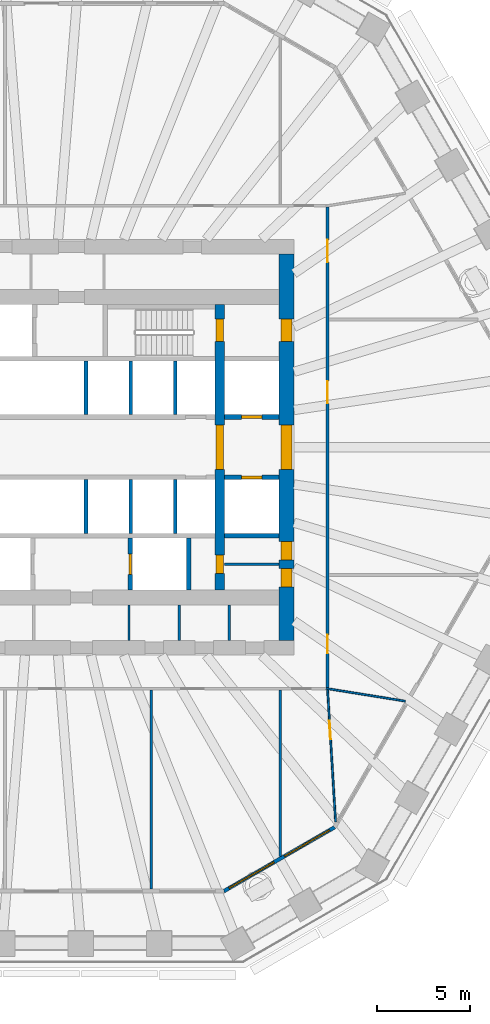
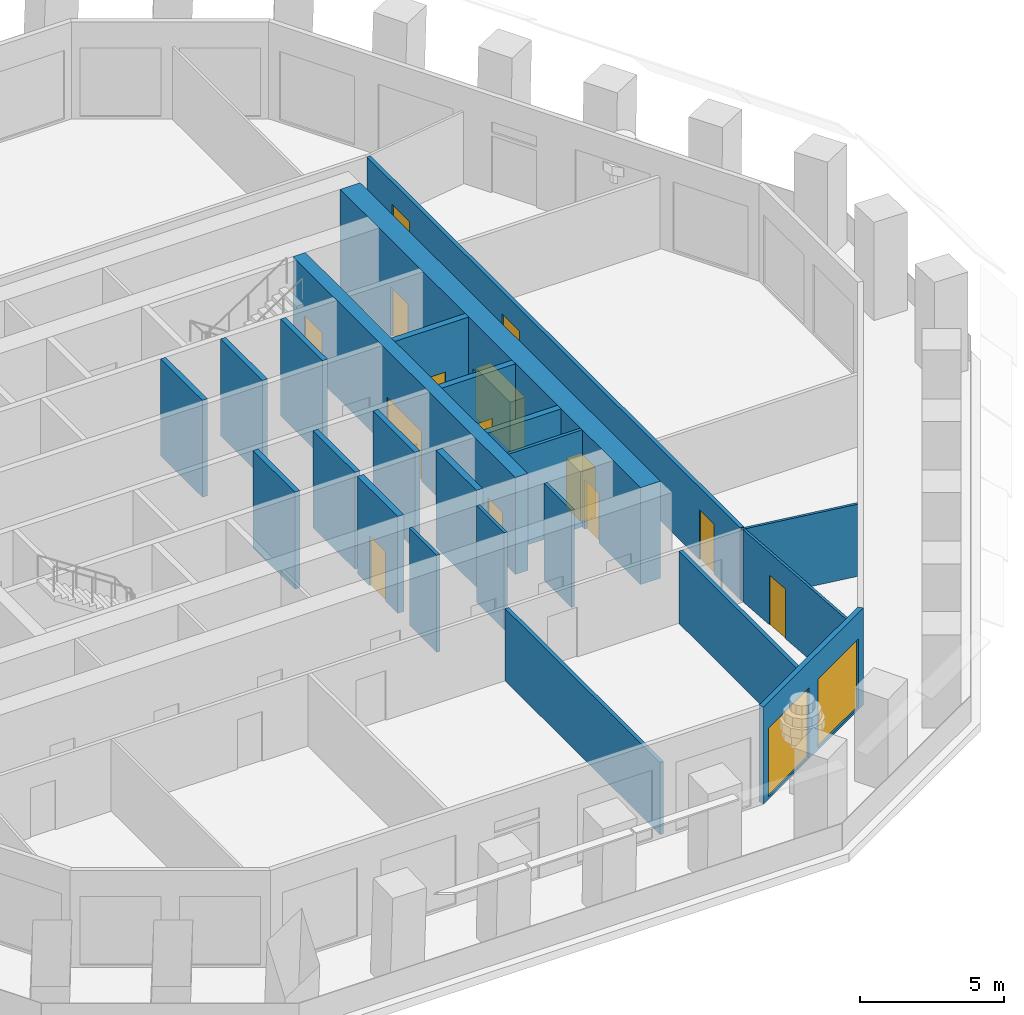
# One storey, part 5 of 12: 23 walls, 14 doors, 2 windows, 16 openings.
"""IFC4 building model written with IfcOpenShell, lengths in metres."""

from ifc_helpers import new_model, si_unit, direction, frame, frame_2d, origin, place, context, subcontext, project, spatial, polyline, rectangle, outline, extrude, material, layer, layer_set, type_object, element, fill, save


model = new_model("IFC4")

# Units and contexts
model_context = context("Model", 3, precision=1e-05, world=origin(), true_north=direction((0.0, 1.0)))
body_context = subcontext(model_context, "Body", "Model", "MODEL_VIEW")
ifc_project = project(units=[si_unit("LENGTHUNIT", "METRE"), si_unit("AREAUNIT", "SQUARE_METRE"), si_unit("VOLUMEUNIT", "CUBIC_METRE"), si_unit("PLANEANGLEUNIT", "RADIAN"), si_unit("MASSUNIT", "GRAM", prefix="KILO")], contexts=[model_context])

# Site, building, storey
site_placement = place(None, origin())
site = spatial("IfcSite", under=ifc_project, at=site_placement, CompositionType="ELEMENT")
building_placement = place(site_placement, origin())
building = spatial("IfcBuilding", under=site, at=building_placement, Name="Frailejon Research Tower", CompositionType="ELEMENT")
storey_placement = place(building_placement, frame((0.0, 0.0, 80.800048828125)))
storey = spatial("IfcBuildingStorey", under=building, at=storey_placement, Name="L17", CompositionType="ELEMENT", Elevation=80.800048828125)

# Walls
ifc_material_1 = material(Name="Plasterboard on steel studs", Category="steel")
ifc_layer_1 = layer(ifc_material_1, 0.125)
ifc_layer_set_1 = layer_set([ifc_layer_1], Name="Core partition 125")
wall_type_1 = type_object("IfcWallType", Name="Core partition 125", PredefinedType="PARTITIONING", material=ifc_layer_set_1)
wall_1_placement = place(storey_placement, frame((9.85009765625, -6.300048828125, 0.0), z_axis=(0.0, 0.0, 1.0), x_axis=(1.0, 0.0, 0.0)))
element("IfcWall", 1, at=wall_1_placement, inside=storey, type_object=wall_type_1, Name="Core partition", PredefinedType="PARTITIONING", context=body_context, shape_type="SweptSolid", body=[
    extrude(rectangle(XDim=2.949951171875, YDim=0.125, at=frame_2d((1.47509765625, 0.0))), origin(), (0.0, 0.0, 1.0), 4.099853515625),
])
for number, where, z_axis, x_axis, name in (
    (2, (4.71240234375, -10.39990234375, 0.0), (0.0, 0.0, 1.0), (0.0, 1.0, 0.0), "Core partition"),
    (3, (7.408203125, -10.39990234375, 0.0), (0.0, 0.0, 1.0), (0.0, 1.0, 0.0), "Core partition"),
    (4, (10.104248046875, -10.39990234375, 0.0), (0.0, 0.0, 1.0), (0.0, 1.0, 0.0), "Core partition"),
):
    element("IfcWall", number, at=place(storey_placement, frame(where, z_axis=z_axis, x_axis=x_axis)), inside=storey, type_object=wall_type_1, Name=name, PredefinedType="PARTITIONING", context=body_context, shape_type="SweptSolid", body=[
        extrude(rectangle(XDim=1.89990234375, YDim=0.125, at=frame_2d((0.949951171875, 0.0))), origin(), (0.0, 0.0, 1.0), 4.099853515625),
    ])

# Wall, openings, doors
ifc_material_2 = material(Name="Concrete C70/85", Category="concrete")
ifc_layer_2 = layer(ifc_material_2, 0.5)
ifc_layer_set_2 = layer_set([ifc_layer_2], Name="Core shear wall 500 C70/85")
wall_type_2 = type_object("IfcWallType", Name="Core shear wall 500 C70/85", PredefinedType="SHEAR", material=ifc_layer_set_2)
wall_2_placement = place(storey_placement, frame((9.60009765625, -7.699951171875, 0.0), z_axis=(0.0, 0.0, 1.0), x_axis=(0.0, 1.0, 0.0)))
wall_2 = element("IfcWall", 5, at=wall_2_placement, inside=storey, type_object=wall_type_2, Name="Core shear wall", PredefinedType="SHEAR", context=body_context, shape_type="SweptSolid", body=[
    extrude(rectangle(XDim=15.39990234375, YDim=0.5, at=frame_2d((7.699951171875, 0.0))), origin(), (0.0, 0.0, 1.0), 4.099853515625),
])
opening_1_placement = place(wall_2_placement, frame((6.5, 0.0, 0.0)))
opening_1 = element("IfcOpeningElement", 6, at=opening_1_placement, cuts=wall_2, Name="Opening D2", PredefinedType="OPENING", context=body_context, shape_type="SweptSolid", body=[
    extrude(rectangle(XDim=2.39990234375, YDim=2.10009765625, at=frame_2d((1.199951171875, 1.050048828125))), frame((0.0, 0.260009765625, 0.0), z_axis=(0.0, -1.0, 0.0), x_axis=(1.0, 0.0, 0.0)), (0.0, 0.0, 1.0), 0.52001953125),
])
opening_2_placement = place(wall_2_placement, frame((13.39990234375, 0.0, 0.0)))
opening_2 = element("IfcOpeningElement", 7, at=opening_2_placement, cuts=wall_2, Name="Opening D1", PredefinedType="OPENING", context=body_context, shape_type="SweptSolid", body=[
    extrude(rectangle(XDim=1.199951171875, YDim=2.10009765625, at=frame_2d((0.60009765625, 1.050048828125))), frame((0.0, 0.260009765625, 0.0), z_axis=(0.0, -1.0, 0.0), x_axis=(1.0, 0.0, 0.0)), (0.0, 0.0, 1.0), 0.52001953125),
])
opening_3_placement = place(wall_2_placement, frame((0.89990234375, 0.0, 0.0)))
opening_3 = element("IfcOpeningElement", 8, at=opening_3_placement, cuts=wall_2, Name="Opening D4", PredefinedType="OPENING", context=body_context, shape_type="SweptSolid", body=[
    extrude(rectangle(XDim=1.0, YDim=2.10009765625, at=frame_2d((0.5, 1.050048828125))), frame((0.0, 0.260009765625, 0.0), z_axis=(0.0, -1.0, 0.0), x_axis=(1.0, 0.0, 0.0)), (0.0, 0.0, 1.0), 0.52001953125),
])
ifc_material_3 = material(Name="Steel", Category="steel")
door_type_1 = type_object("IfcDoorType", Name="Lobby double door", OperationType="DOUBLE_DOOR_SINGLE_SWING", PredefinedType="DOOR", material=ifc_material_3)
door_1_placement = place(opening_1_placement, origin())
door_1 = element("IfcDoor", 9, at=door_1_placement, inside=storey, type_object=door_type_1, Name="Lobby door", OperationType="DOUBLE_DOOR_SINGLE_SWING", OverallHeight=2.10009765625, OverallWidth=2.39990234375, PredefinedType="DOOR", context=body_context, shape_type="SweptSolid", body=[
    extrude(rectangle(XDim=2.39990234375, YDim=2.10009765625, at=frame_2d((1.199951171875, 1.050048828125))), frame((0.0, 0.199951171875, 0.0), z_axis=(0.0, -1.0, 0.0), x_axis=(1.0, 0.0, 0.0)), (0.0, 0.0, 1.0), 0.39990234375),
])
fill(opening_1, door_1)
ifc_material_4 = material(Name="Steel", Category="steel")
door_type_2 = type_object("IfcDoorType", Name="Service door", OperationType="SINGLE_SWING_LEFT", PredefinedType="DOOR", material=ifc_material_4)
door_2_placement = place(opening_3_placement, origin())
door_2 = element("IfcDoor", 10, at=door_2_placement, inside=storey, type_object=door_type_2, Name="Riser door", OperationType="SINGLE_SWING_LEFT", OverallHeight=2.10009765625, OverallWidth=1.0, PredefinedType="DOOR", context=body_context, shape_type="SweptSolid", body=[
    extrude(rectangle(XDim=1.0, YDim=2.10009765625, at=frame_2d((0.5, 1.050048828125))), frame((0.0, 0.199951171875, 0.0), z_axis=(0.0, -1.0, 0.0), x_axis=(1.0, 0.0, 0.0)), (0.0, 0.0, 1.0), 0.39990234375),
])
fill(opening_3, door_2)
ifc_material_5 = material(Name="Steel", Category="steel")
door_type_3 = type_object("IfcDoorType", Name="Stair door", OperationType="SINGLE_SWING_LEFT", PredefinedType="DOOR", material=ifc_material_5)
door_3_placement = place(opening_2_placement, origin())
door_3 = element("IfcDoor", 11, at=door_3_placement, inside=storey, type_object=door_type_3, Name="Stair door ST3", OperationType="SINGLE_SWING_LEFT", OverallHeight=2.10009765625, OverallWidth=1.199951171875, PredefinedType="DOOR", context=body_context, shape_type="SweptSolid", body=[
    extrude(rectangle(XDim=1.199951171875, YDim=2.10009765625, at=frame_2d((0.60009765625, 1.050048828125))), frame((0.0, 0.199951171875, 0.0), z_axis=(0.0, -1.0, 0.0), x_axis=(1.0, 0.0, 0.0)), (0.0, 0.0, 1.0), 0.39990234375),
])
fill(opening_2, door_3)

ifc_material_6 = material(Name="Concrete C70/85", Category="concrete")
ifc_layer_3 = layer(ifc_material_6, 0.800048828125)
ifc_layer_set_3 = layer_set([ifc_layer_3], Name="Core shear wall 800 C70/85")
wall_type_3 = type_object("IfcWallType", Name="Core shear wall 800 C70/85", PredefinedType="SHEAR", material=ifc_layer_set_3)
wall_3_placement = place(storey_placement, frame((13.199951171875, -10.39990234375, 0.0), z_axis=(0.0, 0.0, 1.0), x_axis=(0.0, 1.0, 0.0)))
wall_3 = element("IfcWall", 12, at=wall_3_placement, inside=storey, type_object=wall_type_3, Name="Core shear wall", PredefinedType="SHEAR", context=body_context, shape_type="SweptSolid", body=[
    extrude(rectangle(XDim=20.7998046875, YDim=0.800048828125, at=frame_2d((10.39990234375, 0.0))), origin(), (0.0, 0.0, 1.0), 4.099853515625),
])
opening_4_placement = place(wall_3_placement, frame((9.199951171875, 0.0, 0.0)))
opening_4 = element("IfcOpeningElement", 13, at=opening_4_placement, cuts=wall_3, Name="Opening D2", PredefinedType="OPENING", context=body_context, shape_type="SweptSolid", body=[
    extrude(rectangle(XDim=2.39990234375, YDim=2.10009765625, at=frame_2d((1.199951171875, 1.050048828125))), frame((0.0, 0.409912109375, 0.0), z_axis=(0.0, -1.0, 0.0), x_axis=(1.0, 0.0, 0.0)), (0.0, 0.0, 1.0), 0.820068359375),
])
opening_5_placement = place(wall_3_placement, frame((16.10009765625, 0.0, 0.0)))
opening_5 = element("IfcOpeningElement", 14, at=opening_5_placement, cuts=wall_3, Name="Opening D7", PredefinedType="OPENING", context=body_context, shape_type="SweptSolid", body=[
    extrude(rectangle(XDim=1.199951171875, YDim=2.10009765625, at=frame_2d((0.60009765625, 1.050048828125))), frame((0.0, 0.409912109375, 0.0), z_axis=(0.0, -1.0, 0.0), x_axis=(1.0, 0.0, 0.0)), (0.0, 0.0, 1.0), 0.820068359375),
])
opening_6_placement = place(wall_3_placement, frame((2.868896484375, 0.0, 0.0)))
opening_6 = element("IfcOpeningElement", 15, at=opening_6_placement, cuts=wall_3, Name="Opening D4", PredefinedType="OPENING", context=body_context, shape_type="SweptSolid", body=[
    extrude(rectangle(XDim=1.0, YDim=2.10009765625, at=frame_2d((0.5, 1.050048828125))), frame((0.0, 0.409912109375, 0.0), z_axis=(0.0, -1.0, 0.0), x_axis=(1.0, 0.0, 0.0)), (0.0, 0.0, 1.0), 0.820068359375),
])
opening_7_placement = place(wall_3_placement, frame((4.331298828125, 0.0, 0.0)))
opening_7 = element("IfcOpeningElement", 16, at=opening_7_placement, cuts=wall_3, Name="Opening D4", PredefinedType="OPENING", context=body_context, shape_type="SweptSolid", body=[
    extrude(rectangle(XDim=1.0, YDim=2.10009765625, at=frame_2d((0.5, 1.050048828125))), frame((0.0, 0.409912109375, 0.0), z_axis=(0.0, -1.0, 0.0), x_axis=(1.0, 0.0, 0.0)), (0.0, 0.0, 1.0), 0.820068359375),
])
door_4_placement = place(opening_4_placement, origin())
door_4 = element("IfcDoor", 17, at=door_4_placement, inside=storey, type_object=door_type_1, Name="Lobby door", OperationType="DOUBLE_DOOR_SINGLE_SWING", OverallHeight=2.10009765625, OverallWidth=2.39990234375, PredefinedType="DOOR", context=body_context, shape_type="SweptSolid", body=[
    extrude(rectangle(XDim=2.39990234375, YDim=2.10009765625, at=frame_2d((1.199951171875, 1.050048828125))), frame((0.0, 0.300048828125, 0.0), z_axis=(0.0, -1.0, 0.0), x_axis=(1.0, 0.0, 0.0)), (0.0, 0.0, 1.0), 0.60009765625),
])
fill(opening_4, door_4)
door_5_placement = place(opening_6_placement, origin())
door_5 = element("IfcDoor", 18, at=door_5_placement, inside=storey, type_object=door_type_2, Name="Store door", OperationType="SINGLE_SWING_RIGHT", OverallHeight=2.10009765625, OverallWidth=1.0, PredefinedType="DOOR", context=body_context, shape_type="SweptSolid", body=[
    extrude(rectangle(XDim=1.0, YDim=2.10009765625, at=frame_2d((0.5, 1.050048828125))), frame((0.0, 0.300048828125, 0.0), z_axis=(0.0, -1.0, 0.0), x_axis=(1.0, 0.0, 0.0)), (0.0, 0.0, 1.0), 0.60009765625),
])
fill(opening_6, door_5)
door_6_placement = place(opening_7_placement, origin())
door_6 = element("IfcDoor", 19, at=door_6_placement, inside=storey, type_object=door_type_2, Name="Store door", OperationType="SINGLE_SWING_LEFT", OverallHeight=2.10009765625, OverallWidth=1.0, PredefinedType="DOOR", context=body_context, shape_type="SweptSolid", body=[
    extrude(rectangle(XDim=1.0, YDim=2.10009765625, at=frame_2d((0.5, 1.050048828125))), frame((0.0, 0.300048828125, 0.0), z_axis=(0.0, -1.0, 0.0), x_axis=(1.0, 0.0, 0.0)), (0.0, 0.0, 1.0), 0.60009765625),
])
fill(opening_7, door_6)
ifc_material_7 = material(Name="Steel", Category="steel")
door_type_4 = type_object("IfcDoorType", Name="Stair exit door", OperationType="SINGLE_SWING_LEFT", PredefinedType="DOOR", material=ifc_material_7)
door_7_placement = place(opening_5_placement, origin())
door_7 = element("IfcDoor", 20, at=door_7_placement, inside=storey, type_object=door_type_4, Name="Stair exit door ST3", OperationType="SINGLE_SWING_RIGHT", OverallHeight=2.10009765625, OverallWidth=1.199951171875, PredefinedType="DOOR", context=body_context, shape_type="SweptSolid", body=[
    extrude(rectangle(XDim=1.199951171875, YDim=2.10009765625, at=frame_2d((0.60009765625, 1.050048828125))), frame((0.0, 0.300048828125, 0.0), z_axis=(0.0, -1.0, 0.0), x_axis=(1.0, 0.0, 0.0)), (0.0, 0.0, 1.0), 0.60009765625),
])
fill(opening_5, door_7)

ifc_material_8 = material(Name="Gypsum board and masonry partition", Category="masonry")
ifc_layer_4 = layer(ifc_material_8, 0.14990234375)
ifc_layer_set_4 = layer_set([ifc_layer_4], Name="Corridor wall EI 60, gypsum on steel studs 150")
wall_type_4 = type_object("IfcWallType", Name="Corridor wall EI 60, gypsum on steel studs 150", PredefinedType="PARTITIONING", material=ifc_layer_set_4)
wall_4_placement = place(storey_placement, frame((15.39990234375, -12.925048828125, 0.0), z_axis=(0.0, 0.0, 1.0), x_axis=(0.0, 1.0, 0.0)))
wall_4 = element("IfcWall", 21, at=wall_4_placement, inside=storey, type_object=wall_type_4, Name="T:IW:L17:001", PredefinedType="PARTITIONING", context=body_context, shape_type="SweptSolid", body=[
    extrude(rectangle(XDim=25.85009765625, YDim=0.14990234375, at=frame_2d((12.925048828125, 0.0))), origin(), (0.0, 0.0, 1.0), 3.050048828125),
])
opening_8_placement = place(wall_4_placement, frame((15.289306640625, 0.0, 0.0)))
opening_8 = element("IfcOpeningElement", 22, at=opening_8_placement, cuts=wall_4, Name="Opening D1483", PredefinedType="OPENING", context=body_context, shape_type="SweptSolid", body=[
    extrude(rectangle(XDim=1.199951171875, YDim=2.10009765625, at=frame_2d((0.60009765625, 1.050048828125))), frame((0.0, 0.0849609375, 0.0), z_axis=(0.0, -1.0, 0.0), x_axis=(1.0, 0.0, 0.0)), (0.0, 0.0, 1.0), 0.169921875),
])
opening_9_placement = place(wall_4_placement, frame((22.8974609375, 0.0, 0.0)))
opening_9 = element("IfcOpeningElement", 23, at=opening_9_placement, cuts=wall_4, Name="Opening D1484", PredefinedType="OPENING", context=body_context, shape_type="SweptSolid", body=[
    extrude(rectangle(XDim=1.199951171875, YDim=2.10009765625, at=frame_2d((0.60009765625, 1.050048828125))), frame((0.0, 0.0849609375, 0.0), z_axis=(0.0, -1.0, 0.0), x_axis=(1.0, 0.0, 0.0)), (0.0, 0.0, 1.0), 0.169921875),
])
opening_10_placement = place(wall_4_placement, frame((1.822509765625, 0.0, 0.0)))
opening_10 = element("IfcOpeningElement", 24, at=opening_10_placement, cuts=wall_4, Name="Opening D1497", PredefinedType="OPENING", context=body_context, shape_type="SweptSolid", body=[
    extrude(rectangle(XDim=1.0, YDim=2.10009765625, at=frame_2d((0.5, 1.050048828125))), frame((0.0, 0.0849609375, 0.0), z_axis=(0.0, -1.0, 0.0), x_axis=(1.0, 0.0, 0.0)), (0.0, 0.0, 1.0), 0.169921875),
])
ifc_material_9 = material(Name="Timber door leaf", Category="wood")
door_type_5 = type_object("IfcDoorType", Name="Door laboratory, timber, vision panel 1200", OperationType="NOTDEFINED", PredefinedType="DOOR", material=ifc_material_9)
door_8_placement = place(opening_8_placement, origin())
door_8 = element("IfcDoor", 25, at=door_8_placement, inside=storey, type_object=door_type_5, Name="D1483", OperationType="DOUBLE_DOOR_SINGLE_SWING", OverallHeight=2.10009765625, OverallWidth=1.199951171875, PredefinedType="DOOR", context=body_context, shape_type="SweptSolid", body=[
    extrude(rectangle(XDim=1.199951171875, YDim=2.10009765625, at=frame_2d((0.60009765625, 1.050048828125))), frame((0.0, 0.02490234375, 0.0), z_axis=(0.0, -1.0, 0.0), x_axis=(1.0, 0.0, 0.0)), (0.0, 0.0, 1.0), 0.050048828125),
])
fill(opening_8, door_8)
ifc_material_10 = material(Name="Timber door leaf", Category="wood")
door_type_6 = type_object("IfcDoorType", Name="Door single leaf, timber, steel frame 1000", OperationType="NOTDEFINED", PredefinedType="DOOR", material=ifc_material_10)
door_9_placement = place(opening_10_placement, origin())
door_9 = element("IfcDoor", 26, at=door_9_placement, inside=storey, type_object=door_type_6, Name="D1497", OperationType="SINGLE_SWING_RIGHT", OverallHeight=2.10009765625, OverallWidth=1.0, PredefinedType="DOOR", context=body_context, shape_type="SweptSolid", body=[
    extrude(rectangle(XDim=1.0, YDim=2.10009765625, at=frame_2d((0.5, 1.050048828125))), frame((0.0, 0.02490234375, 0.0), z_axis=(0.0, -1.0, 0.0), x_axis=(1.0, 0.0, 0.0)), (0.0, 0.0, 1.0), 0.050048828125),
])
fill(opening_10, door_9)
ifc_material_11 = material(Name="Timber door leaf", Category="wood")
door_type_7 = type_object("IfcDoorType", Name="Door single leaf, timber, steel frame 1200", OperationType="NOTDEFINED", PredefinedType="DOOR", material=ifc_material_11)
door_10_placement = place(opening_9_placement, origin())
door_10 = element("IfcDoor", 27, at=door_10_placement, inside=storey, type_object=door_type_7, Name="D1484", OperationType="DOUBLE_DOOR_SINGLE_SWING", OverallHeight=2.10009765625, OverallWidth=1.199951171875, PredefinedType="DOOR", context=body_context, shape_type="SweptSolid", body=[
    extrude(rectangle(XDim=1.199951171875, YDim=2.10009765625, at=frame_2d((0.60009765625, 1.050048828125))), frame((0.0, 0.02490234375, 0.0), z_axis=(0.0, -1.0, 0.0), x_axis=(1.0, 0.0, 0.0)), (0.0, 0.0, 1.0), 0.050048828125),
])
fill(opening_9, door_10)

# Walls
ifc_material_12 = material(Name="Gypsum board and masonry partition", Category="masonry")
ifc_layer_5 = layer(ifc_material_12, 0.14990234375)
ifc_layer_set_5 = layer_set([ifc_layer_5], Name="Laboratory partition, blockwork 150")
wall_type_5 = type_object("IfcWallType", Name="Laboratory partition, blockwork 150", PredefinedType="PARTITIONING", material=ifc_layer_set_5)
wall_5_placement = place(storey_placement, frame((5.913818359375, -23.800048828125, 0.0), z_axis=(0.0, 0.0, 1.0), x_axis=(0.0, 1.0, 0.0)))
element("IfcWall", 28, at=wall_5_placement, inside=storey, type_object=wall_type_5, Name="T:IW:L17:012", PredefinedType="PARTITIONING", context=body_context, shape_type="SweptSolid", body=[
    extrude(rectangle(XDim=10.72509765625, YDim=0.14990234375, at=frame_2d((5.362548828125, 0.0))), origin(), (0.0, 0.0, 1.0), 3.050048828125),
])
wall_6_placement = place(storey_placement, frame((12.8564453125, -22.037109375, 0.0), z_axis=(0.0, 0.0, 1.0), x_axis=(0.0, 1.0, 0.0)))
element("IfcWall", 29, at=wall_6_placement, inside=storey, type_object=wall_type_5, Name="T:IW:L17:013", PredefinedType="PARTITIONING", context=body_context, shape_type="SweptSolid", body=[
    extrude(rectangle(XDim=8.962158203125, YDim=0.14990234375, at=frame_2d((4.48095703125, 0.0))), origin(), (0.0, 0.0, 1.0), 3.050048828125),
])

# Wall, opening, door
ifc_material_13 = material(Name="Gypsum board and masonry partition", Category="masonry")
ifc_layer_6 = layer(ifc_material_13, 0.10009765625)
ifc_layer_set_6 = layer_set([ifc_layer_6], Name="Partition, gypsum on steel studs 100")
wall_type_6 = type_object("IfcWallType", Name="Partition, gypsum on steel studs 100", PredefinedType="PARTITIONING", material=ifc_layer_set_6)
wall_7_placement = place(storey_placement, frame((15.403076171875, -13.0498046875, 0.0), z_axis=(0.0, 0.0, 1.0), x_axis=(0.060444453421, -0.998171562433, 0.0)))
wall_7 = element("IfcWall", 30, at=wall_7_placement, inside=storey, type_object=wall_type_6, Name="T:IW:L17:018", PredefinedType="PARTITIONING", context=body_context, shape_type="SweptSolid", body=[
    extrude(rectangle(XDim=7.136962890625, YDim=0.10009765625, at=frame_2d((3.568359375, 0.0))), origin(), (0.0, 0.0, 1.0), 3.050048828125),
])
opening_11_placement = place(wall_7_placement, frame((1.671875, 0.0, 0.0)))
opening_11 = element("IfcOpeningElement", 31, at=opening_11_placement, cuts=wall_7, Name="Opening D1496", PredefinedType="OPENING", context=body_context, shape_type="SweptSolid", body=[
    extrude(rectangle(XDim=1.0, YDim=2.10009765625, at=frame_2d((0.5, 1.050048828125))), frame((0.0, 0.06005859375, 0.0), z_axis=(0.0, -1.0, 0.0), x_axis=(1.0, 0.0, 0.0)), (0.0, 0.0, 1.0), 0.1201171875),
])
door_11_placement = place(opening_11_placement, origin())
door_11 = element("IfcDoor", 32, at=door_11_placement, inside=storey, type_object=door_type_6, Name="D1496", OperationType="SINGLE_SWING_RIGHT", OverallHeight=2.10009765625, OverallWidth=1.0, PredefinedType="DOOR", context=body_context, shape_type="SweptSolid", body=[
    extrude(rectangle(XDim=1.0, YDim=2.10009765625, at=frame_2d((0.5, 1.050048828125))), frame((0.0, 0.02490234375, 0.0), z_axis=(0.0, -1.0, 0.0), x_axis=(1.0, 0.0, 0.0)), (0.0, 0.0, 1.0), 0.050048828125),
])
fill(opening_11, door_11)

# Walls
wall_8_placement = place(storey_placement, frame((15.325927734375, -12.988037109375, 0.0), z_axis=(0.0, 0.0, 1.0), x_axis=(0.987325307202, -0.158709601971, 0.0)))
element("IfcWall", 33, at=wall_8_placement, inside=storey, type_object=wall_type_6, Name="T:IW:L17:019", PredefinedType="PARTITIONING", context=body_context, shape_type="SweptSolid", body=[
    extrude(rectangle(XDim=4.31640625, YDim=0.10009765625, at=frame_2d((2.158203125, 0.0))), origin(), (0.0, 0.0, 1.0), 3.050048828125),
])
ifc_material_14 = material(Name="Concrete C70/85", Category="concrete")
ifc_layer_7 = layer(ifc_material_14, 0.199951171875)
ifc_layer_set_7 = layer_set([ifc_layer_7], Name="Shaft wall 200 C70/85")
wall_type_7 = type_object("IfcWallType", Name="Shaft wall 200 C70/85", PredefinedType="SOLIDWALL", material=ifc_layer_set_7)
for number, where, z_axis, x_axis, name in (
    (34, (2.39990234375, 1.75, 0.0), (0.0, 0.0, 1.0), (0.0, 1.0, 0.0), "Shaft wall"),
    (35, (4.800048828125, 1.75, 0.0), (0.0, 0.0, 1.0), (0.0, 1.0, 0.0), "Shaft wall"),
    (36, (7.199951171875, 1.75, 0.0), (0.0, 0.0, 1.0), (0.0, 1.0, 0.0), "Shaft wall"),
    (37, (2.39990234375, -4.64990234375, 0.0), (0.0, 0.0, 1.0), (0.0, 1.0, 0.0), "Shaft wall"),
    (38, (4.800048828125, -4.64990234375, 0.0), (0.0, 0.0, 1.0), (0.0, 1.0, 0.0), "Shaft wall"),
    (39, (7.199951171875, -4.64990234375, 0.0), (0.0, 0.0, 1.0), (0.0, 1.0, 0.0), "Shaft wall"),
):
    element("IfcWall", number, at=place(storey_placement, frame(where, z_axis=z_axis, x_axis=x_axis)), inside=storey, type_object=wall_type_7, Name=name, PredefinedType="SOLIDWALL", context=body_context, shape_type="SweptSolid", body=[
        extrude(rectangle(XDim=2.89990234375, YDim=0.199951171875, at=frame_2d((1.449951171875, 0.0))), origin(), (0.0, 0.0, 1.0), 4.099853515625),
    ])

# Wall, opening, door
ifc_material_15 = material(Name="Concrete C70/85", Category="concrete")
ifc_layer_8 = layer(ifc_material_15, 0.25)
ifc_layer_set_8 = layer_set([ifc_layer_8], Name="Shaft wall 250 C70/85")
wall_type_8 = type_object("IfcWallType", Name="Shaft wall 250 C70/85", PredefinedType="SOLIDWALL", material=ifc_layer_set_8)
wall_9_placement = place(storey_placement, frame((9.85009765625, 1.625, 0.0), z_axis=(0.0, 0.0, 1.0), x_axis=(1.0, 0.0, 0.0)))
wall_9 = element("IfcWall", 40, at=wall_9_placement, inside=storey, type_object=wall_type_8, Name="Shaft wall", PredefinedType="SOLIDWALL", context=body_context, shape_type="SweptSolid", body=[
    extrude(rectangle(XDim=2.949951171875, YDim=0.25, at=frame_2d((1.47509765625, 0.0))), origin(), (0.0, 0.0, 1.0), 4.099853515625),
])
opening_12_placement = place(wall_9_placement, frame((0.925048828125, 0.0, 0.0)))
opening_12 = element("IfcOpeningElement", 41, at=opening_12_placement, cuts=wall_9, Name="Opening LD", PredefinedType="OPENING", context=body_context, shape_type="SweptSolid", body=[
    extrude(rectangle(XDim=1.10009765625, YDim=2.10009765625, at=frame_2d((0.550048828125, 1.050048828125))), frame((0.0, 0.135009765625, 0.0), z_axis=(0.0, -1.0, 0.0), x_axis=(1.0, 0.0, 0.0)), (0.0, 0.0, 1.0), 0.27001953125),
])
ifc_material_16 = material(Name="Steel", Category="steel")
door_type_8 = type_object("IfcDoorType", Name="Lift landing door", OperationType="DOUBLE_DOOR_SLIDING", PredefinedType="DOOR", material=ifc_material_16)
door_12_placement = place(opening_12_placement, origin())
door_12 = element("IfcDoor", 42, at=door_12_placement, inside=storey, type_object=door_type_8, Name="Lift landing door", OperationType="DOUBLE_DOOR_SLIDING", OverallHeight=2.10009765625, OverallWidth=1.10009765625, PredefinedType="DOOR", context=body_context, shape_type="SweptSolid", body=[
    extrude(rectangle(XDim=1.10009765625, YDim=2.10009765625, at=frame_2d((0.550048828125, 1.050048828125))), frame((0.0, 0.074951171875, 0.0), z_axis=(0.0, -1.0, 0.0), x_axis=(1.0, 0.0, 0.0)), (0.0, 0.0, 1.0), 0.14990234375),
])
fill(opening_12, door_12)

wall_10_placement = place(storey_placement, frame((9.85009765625, -1.625, 0.0), z_axis=(0.0, 0.0, 1.0), x_axis=(1.0, 0.0, 0.0)))
wall_10 = element("IfcWall", 43, at=wall_10_placement, inside=storey, type_object=wall_type_8, Name="Shaft wall", PredefinedType="SOLIDWALL", context=body_context, shape_type="SweptSolid", body=[
    extrude(rectangle(XDim=2.949951171875, YDim=0.25, at=frame_2d((1.47509765625, 0.0))), origin(), (0.0, 0.0, 1.0), 4.099853515625),
])
opening_13_placement = place(wall_10_placement, frame((0.925048828125, 0.0, 0.0)))
opening_13 = element("IfcOpeningElement", 44, at=opening_13_placement, cuts=wall_10, Name="Opening LD", PredefinedType="OPENING", context=body_context, shape_type="SweptSolid", body=[
    extrude(rectangle(XDim=1.10009765625, YDim=2.10009765625, at=frame_2d((0.550048828125, 1.050048828125))), frame((0.0, 0.135009765625, 0.0), z_axis=(0.0, -1.0, 0.0), x_axis=(1.0, 0.0, 0.0)), (0.0, 0.0, 1.0), 0.27001953125),
])
door_13_placement = place(opening_13_placement, origin())
door_13 = element("IfcDoor", 45, at=door_13_placement, inside=storey, type_object=door_type_8, Name="Lift landing door", OperationType="DOUBLE_DOOR_SLIDING", OverallHeight=2.10009765625, OverallWidth=1.10009765625, PredefinedType="DOOR", context=body_context, shape_type="SweptSolid", body=[
    extrude(rectangle(XDim=1.10009765625, YDim=2.10009765625, at=frame_2d((0.550048828125, 1.050048828125))), frame((0.0, 0.074951171875, 0.0), z_axis=(0.0, -1.0, 0.0), x_axis=(1.0, 0.0, 0.0)), (0.0, 0.0, 1.0), 0.14990234375),
])
fill(opening_13, door_13)

# Wall
wall_11_placement = place(storey_placement, frame((9.85009765625, -4.77490234375, 0.0), z_axis=(0.0, 0.0, 1.0), x_axis=(1.0, 0.0, 0.0)))
element("IfcWall", 46, at=wall_11_placement, inside=storey, type_object=wall_type_8, Name="Shaft wall", PredefinedType="SOLIDWALL", context=body_context, shape_type="SweptSolid", body=[
    extrude(rectangle(XDim=2.949951171875, YDim=0.25, at=frame_2d((1.47509765625, 0.0))), origin(), (0.0, 0.0, 1.0), 4.099853515625),
])

# Wall, opening, door
wall_12_placement = place(storey_placement, frame((4.77490234375, -7.699951171875, 0.0), z_axis=(0.0, 0.0, 1.0), x_axis=(0.0, 1.0, 0.0)))
wall_12 = element("IfcWall", 47, at=wall_12_placement, inside=storey, type_object=wall_type_8, Name="Shaft wall", PredefinedType="SOLIDWALL", context=body_context, shape_type="SweptSolid", body=[
    extrude(rectangle(XDim=2.800048828125, YDim=0.25, at=frame_2d((1.39990234375, 0.0))), origin(), (0.0, 0.0, 1.0), 4.099853515625),
])
opening_14_placement = place(wall_12_placement, frame((0.85009765625, 0.0, 0.0)))
opening_14 = element("IfcOpeningElement", 48, at=opening_14_placement, cuts=wall_12, Name="Opening LD", PredefinedType="OPENING", context=body_context, shape_type="SweptSolid", body=[
    extrude(rectangle(XDim=1.10009765625, YDim=2.10009765625, at=frame_2d((0.550048828125, 1.050048828125))), frame((0.0, 0.135009765625, 0.0), z_axis=(0.0, -1.0, 0.0), x_axis=(1.0, 0.0, 0.0)), (0.0, 0.0, 1.0), 0.27001953125),
])
door_14_placement = place(opening_14_placement, origin())
door_14 = element("IfcDoor", 49, at=door_14_placement, inside=storey, type_object=door_type_8, Name="Lift landing door", OperationType="DOUBLE_DOOR_SLIDING", OverallHeight=2.10009765625, OverallWidth=1.10009765625, PredefinedType="DOOR", context=body_context, shape_type="SweptSolid", body=[
    extrude(rectangle(XDim=1.10009765625, YDim=2.10009765625, at=frame_2d((0.550048828125, 1.050048828125))), frame((0.0, 0.074951171875, 0.0), z_axis=(0.0, -1.0, 0.0), x_axis=(1.0, 0.0, 0.0)), (0.0, 0.0, 1.0), 0.14990234375),
])
fill(opening_14, door_14)

# Wall
wall_13_placement = place(storey_placement, frame((7.925048828125, -7.699951171875, 0.0), z_axis=(0.0, 0.0, 1.0), x_axis=(0.0, 1.0, 0.0)))
element("IfcWall", 50, at=wall_13_placement, inside=storey, type_object=wall_type_8, Name="Shaft wall", PredefinedType="SOLIDWALL", context=body_context, shape_type="SweptSolid", body=[
    extrude(rectangle(XDim=2.800048828125, YDim=0.25, at=frame_2d((1.39990234375, 0.0))), origin(), (0.0, 0.0, 1.0), 4.099853515625),
])

# Wall, openings, windows
ifc_material_17 = material(Name="Concrete C40/50 precast window wall panel", Category="concrete")
ifc_layer_9 = layer(ifc_material_17, 0.199951171875)
ifc_layer_set_9 = layer_set([ifc_layer_9], Name="Window wall 200")
wall_type_9 = type_object("IfcWallType", Name="Window wall 200", PredefinedType="SOLIDWALL", material=ifc_layer_set_9)
wall_14_placement = place(storey_placement, frame((9.82958984375, -23.89990234375, 0.0), z_axis=(0.0, 0.0, 1.0), x_axis=(0.866029458321, 0.49999297727, 0.0)))
wall_14 = element("IfcWall", 51, at=wall_14_placement, inside=storey, type_object=wall_type_9, Name="Exterior wall L17", PredefinedType="SOLIDWALL", context=body_context, shape_type="SweptSolid", body=[
    extrude(outline(polyline([(-0.02685546875, -0.10009765625), (1.1279296875, -0.10009765625), (2.282470703125, -0.10009765625), (3.437255859375, -0.10009765625), (4.592041015625, -0.10009765625), (5.74658203125, -0.10009765625), (6.9013671875, -0.10009765625), (6.84765625, 0.10009765625), (5.7109375, 0.10009765625), (4.573974609375, 0.10009765625), (3.437255859375, 0.10009765625), (2.300537109375, 0.10009765625), (1.16357421875, 0.10009765625), (0.02685546875, 0.10009765625), (-0.02685546875, -0.10009765625)])), origin(), (0.0, 0.0, 1.0), 4.099853515625),
])
opening_15_placement = place(wall_14_placement, frame((0.318603515625, 0.0, 0.10009765625)))
opening_15 = element("IfcOpeningElement", 52, at=opening_15_placement, cuts=wall_14, Name="Opening W3", PredefinedType="OPENING", context=body_context, shape_type="SweptSolid", body=[
    extrude(rectangle(XDim=2.800048828125, YDim=2.89990234375, at=frame_2d((1.39990234375, 1.449951171875))), frame((0.0, 0.10986328125, 0.0), z_axis=(0.0, -1.0, 0.0), x_axis=(1.0, 0.0, 0.0)), (0.0, 0.0, 1.0), 0.219970703125),
])
opening_16_placement = place(wall_14_placement, frame((3.756103515625, 0.0, 0.10009765625)))
opening_16 = element("IfcOpeningElement", 53, at=opening_16_placement, cuts=wall_14, Name="Opening W3", PredefinedType="OPENING", context=body_context, shape_type="SweptSolid", body=[
    extrude(rectangle(XDim=2.800048828125, YDim=2.89990234375, at=frame_2d((1.39990234375, 1.449951171875))), frame((0.0, 0.10986328125, 0.0), z_axis=(0.0, -1.0, 0.0), x_axis=(1.0, 0.0, 0.0)), (0.0, 0.0, 1.0), 0.219970703125),
])
ifc_material_18 = material(Name="Aluminium framed double glazing", Category="aluminium")
window_type = type_object("IfcWindowType", Name="Window 2800x2900", PartitioningType="SINGLE_PANEL", PredefinedType="WINDOW", material=ifc_material_18)
window_1_placement = place(opening_15_placement, origin())
window_1 = element("IfcWindow", 54, at=window_1_placement, inside=storey, type_object=window_type, Name="Window L17", OverallHeight=2.89990234375, OverallWidth=2.800048828125, PartitioningType="SINGLE_PANEL", PredefinedType="WINDOW", context=body_context, shape_type="SweptSolid", body=[
    extrude(rectangle(XDim=2.800048828125, YDim=2.89990234375, at=frame_2d((1.39990234375, 1.449951171875))), frame((0.0, 0.030029296875, 0.0), z_axis=(0.0, -1.0, 0.0), x_axis=(1.0, 0.0, 0.0)), (0.0, 0.0, 1.0), 0.06005859375),
])
fill(opening_15, window_1)
window_2_placement = place(opening_16_placement, origin())
window_2 = element("IfcWindow", 55, at=window_2_placement, inside=storey, type_object=window_type, Name="Window L17", OverallHeight=2.89990234375, OverallWidth=2.800048828125, PartitioningType="SINGLE_PANEL", PredefinedType="WINDOW", context=body_context, shape_type="SweptSolid", body=[
    extrude(rectangle(XDim=2.800048828125, YDim=2.89990234375, at=frame_2d((1.39990234375, 1.449951171875))), frame((0.0, 0.030029296875, 0.0), z_axis=(0.0, -1.0, 0.0), x_axis=(1.0, 0.0, 0.0)), (0.0, 0.0, 1.0), 0.06005859375),
])
fill(opening_16, window_2)

save(model, "model.ifc")
